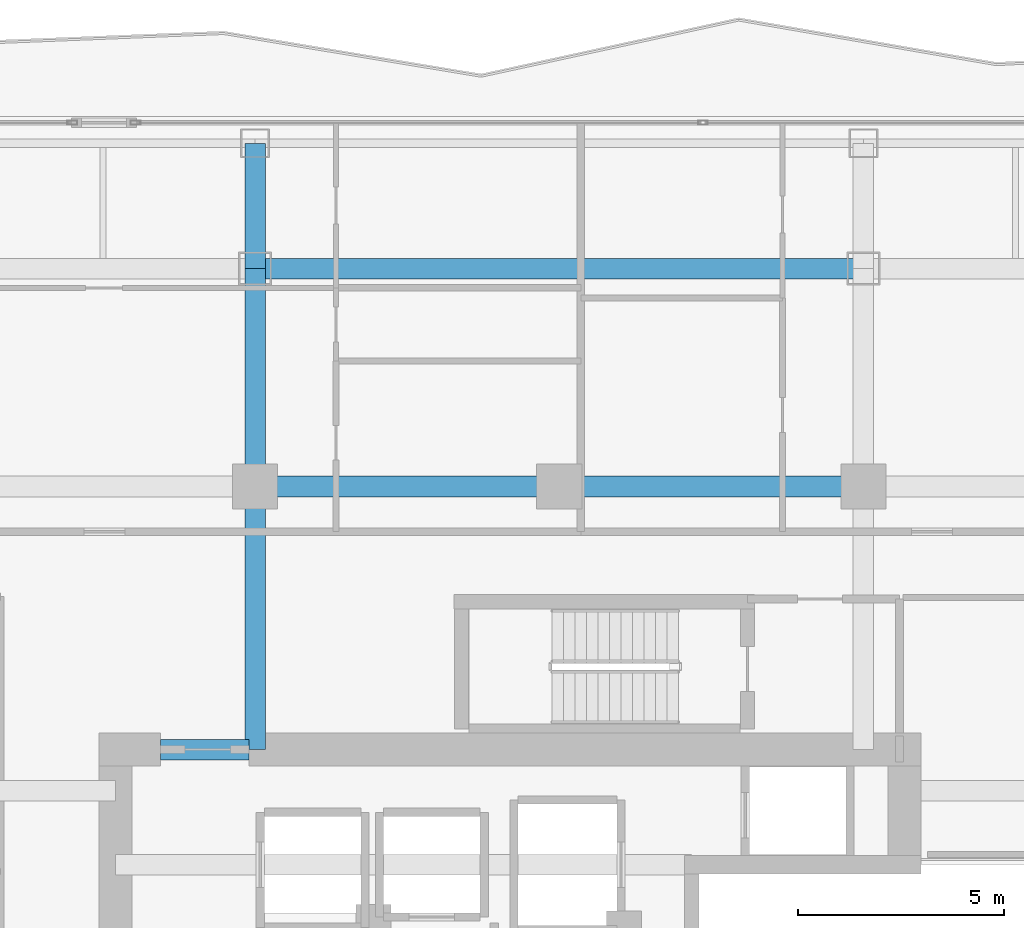
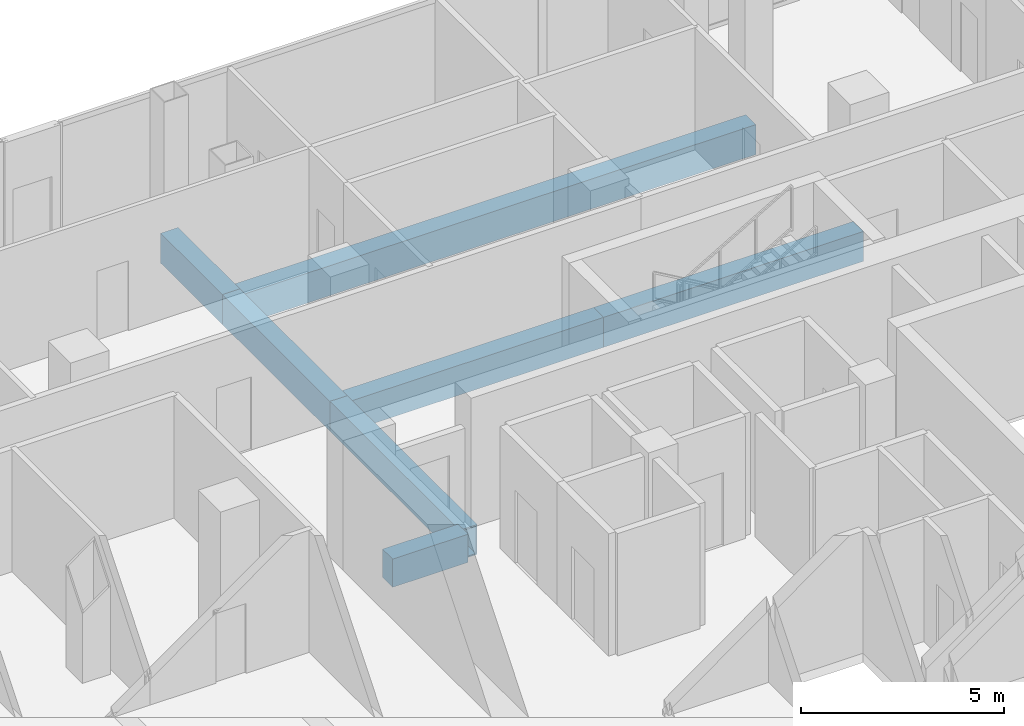
# One storey, part 12 of 27: 7 beams.
"""IFC4 building model written with IfcOpenShell, lengths in metres."""

from ifc_helpers import new_model, si_unit, direction, frame, origin, origin_2d, place, context, subcontext, project, spatial, rectangle, hollow_rectangle, extrude, material, material_profile, profile_set, type_object, element, save


model = new_model("IFC4")

# Units and contexts
model_context = context("Model", 3, precision=1e-05, world=origin(), true_north=direction((0.0, 1.0)))
body_context = subcontext(model_context, "Body", "Model", "MODEL_VIEW")
ifc_project = project(units=[si_unit("LENGTHUNIT", "METRE"), si_unit("AREAUNIT", "SQUARE_METRE"), si_unit("VOLUMEUNIT", "CUBIC_METRE"), si_unit("PLANEANGLEUNIT", "RADIAN"), si_unit("MASSUNIT", "GRAM", prefix="KILO")], contexts=[model_context])

# Site, building, storey
site_placement = place(None, origin())
site = spatial("IfcSite", under=ifc_project, at=site_placement, CompositionType="ELEMENT")
building_placement = place(site_placement, origin())
building = spatial("IfcBuilding", under=site, at=building_placement, Name="Khorvyn Point Tower", CompositionType="ELEMENT")
storey_placement = place(building_placement, frame((0.0, 0.0, 168.0)))
storey = spatial("IfcBuildingStorey", under=building, at=storey_placement, Name="L41", CompositionType="ELEMENT", Elevation=168.0)

# Beams
ifc_material_1 = material(Name="Concrete C45/55", Category="concrete")
ifc_material_profile_1 = material_profile(ifc_material_1, rectangle(XDim=0.5, YDim=0.85009765625, at=origin_2d()))
ifc_profile_set_1 = profile_set([ifc_material_profile_1], Name="Concrete C45/55 RC500x850")
beam_type_1 = type_object("IfcBeamType", Name="Concrete C45/55 Beam RC500x850", PredefinedType="BEAM", material=ifc_profile_set_1)
beam_1_placement = place(storey_placement, frame((-9.699951171875, 8.39990234375, -0.705078125), z_axis=(1.0, 0.0, 0.0), x_axis=(0.0, 1.0, 0.0)))
element("IfcBeam", 1, at=beam_1_placement, inside=storey, type_object=beam_type_1, Name="L41 Core Northwest Portal Coupling Beam", PredefinedType="BEAM", context=body_context, shape_type="SweptSolid", body=[
    extrude(rectangle(XDim=0.5, YDim=0.85009765625, at=origin_2d()), origin(), (0.0, 0.0, 1.0), 2.14990234375),
])
ifc_material_2 = material(Name="Steel S450", Category="steel")
ifc_material_profile_2 = material_profile(ifc_material_2, hollow_rectangle(XDim=0.5, YDim=0.89990234375, WallThickness=0.0400390625, at=origin_2d()))
ifc_profile_set_2 = profile_set([ifc_material_profile_2], Name="Steel S450 BOX900x500x40")
beam_type_2 = type_object("IfcBeamType", Name="Steel S450 Beam BOX900x500x40", PredefinedType="BEAM", material=ifc_profile_set_2)
for number, where, z_axis, x_axis, name in (
    (2, (-7.39990234375, 14.800048828125, -0.72998046875), (1.0, 0.0, 0.0), (0.0, 1.0, 0.0), "L41 Radial Transfer Girder"),
    (3, (0.0, 14.800048828125, -0.72998046875), (1.0, 0.0, 0.0), (0.0, 1.0, 0.0), "L41 Radial Transfer Girder"),
):
    element("IfcBeam", number, at=place(storey_placement, frame(where, z_axis=z_axis, x_axis=x_axis)), inside=storey, type_object=beam_type_2, Name=name, PredefinedType="BEAM", context=body_context, shape_type="SweptSolid", body=[
        extrude(hollow_rectangle(XDim=0.5, YDim=0.89990234375, WallThickness=0.0400390625, at=origin_2d()), origin(), (0.0, 0.0, 1.0), 7.39990234375),
    ])
beam_2_placement = place(storey_placement, frame((-7.39990234375, 20.10009765625, -0.72998046875), z_axis=(1.0, 0.0, 0.0), x_axis=(0.0, 1.0, 0.0)))
element("IfcBeam", 4, at=beam_2_placement, inside=storey, type_object=beam_type_2, Name="Beam", PredefinedType="BEAM", context=body_context, shape_type="SweptSolid", body=[
    extrude(hollow_rectangle(XDim=0.5, YDim=0.89990234375, WallThickness=0.0400390625, at=origin_2d()), origin(), (0.0, 0.0, 1.0), 14.7998046875),
])
beam_3_placement = place(storey_placement, frame((-7.39990234375, 8.39990234375, -0.72998046875), z_axis=(0.0, 1.0, 0.0), x_axis=(-1.0, 0.0, 0.0)))
element("IfcBeam", 5, at=beam_3_placement, inside=storey, type_object=beam_type_2, Name="Beam", PredefinedType="BEAM", context=body_context, shape_type="SweptSolid", body=[
    extrude(hollow_rectangle(XDim=0.5, YDim=0.89990234375, WallThickness=0.0400390625, at=origin_2d()), origin(), (0.0, 0.0, 1.0), 6.400146484375),
])
beam_4_placement = place(storey_placement, frame((-7.39990234375, 14.800048828125, -0.72998046875), z_axis=(0.0, 1.0, 0.0), x_axis=(-1.0, 0.0, 0.0)))
element("IfcBeam", 6, at=beam_4_placement, inside=storey, type_object=beam_type_2, Name="Beam", PredefinedType="BEAM", context=body_context, shape_type="SweptSolid", body=[
    extrude(hollow_rectangle(XDim=0.5, YDim=0.89990234375, WallThickness=0.0400390625, at=origin_2d()), origin(), (0.0, 0.0, 1.0), 5.300048828125),
])
beam_5_placement = place(storey_placement, frame((-7.39990234375, 20.10009765625, -0.72998046875), z_axis=(0.0, 1.0, 0.0), x_axis=(-1.0, 0.0, 0.0)))
element("IfcBeam", 7, at=beam_5_placement, inside=storey, type_object=beam_type_2, Name="Beam", PredefinedType="BEAM", context=body_context, shape_type="SweptSolid", body=[
    extrude(hollow_rectangle(XDim=0.5, YDim=0.89990234375, WallThickness=0.0400390625, at=origin_2d()), origin(), (0.0, 0.0, 1.0), 3.0498046875),
])

save(model, "model.ifc")
